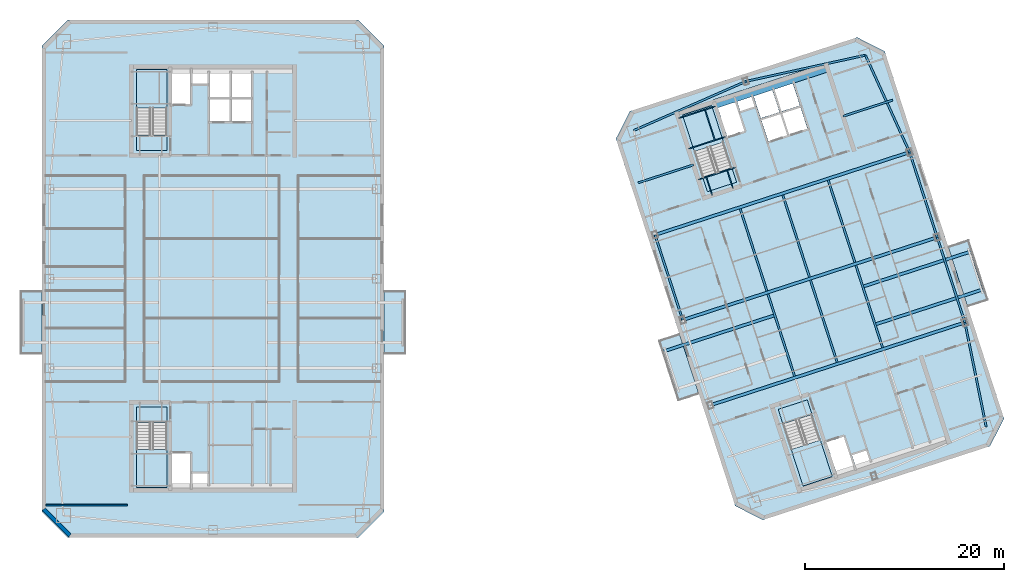
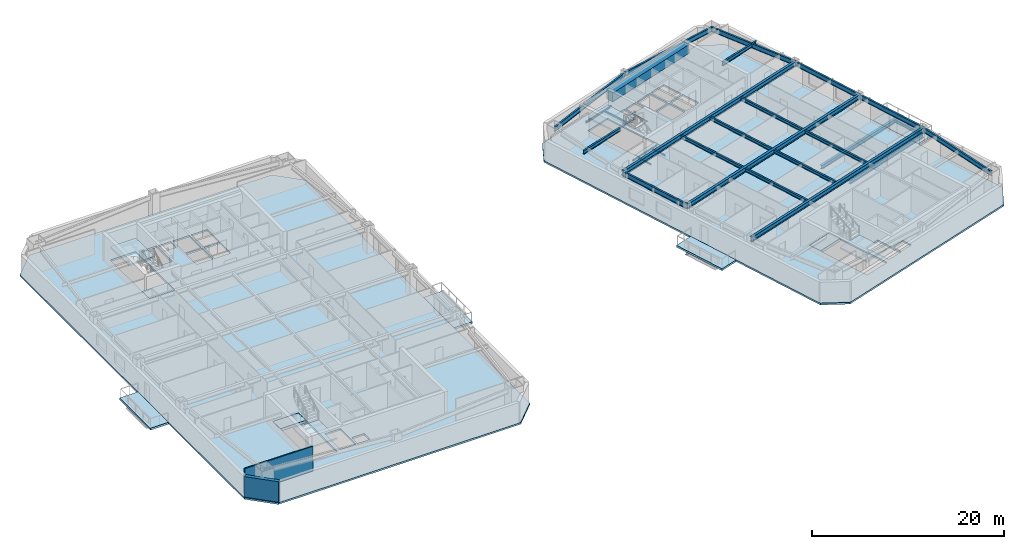
# One storey, part 4 of 15: 29 beams, 14 slabs, 2 walls, 4 elements without a shape of their own.
"""IFC4 building model written with IfcOpenShell, lengths in metres."""

from ifc_helpers import new_model, si_unit, direction, frame, frame_2d, origin, origin_2d, place, context, subcontext, project, spatial, polyline, rectangle, i_section, outline, extrude, material, layer, layer_set, material_profile, profile_set, type_object, element, aggregate, save


model = new_model("IFC4")

# Units and contexts
model_context = context("Model", 3, precision=1e-05, world=origin(), true_north=direction((0.0, 1.0)))
body_context = subcontext(model_context, "Body", "Model", "MODEL_VIEW")
ifc_project = project(units=[si_unit("LENGTHUNIT", "METRE"), si_unit("AREAUNIT", "SQUARE_METRE"), si_unit("VOLUMEUNIT", "CUBIC_METRE"), si_unit("PLANEANGLEUNIT", "RADIAN"), si_unit("MASSUNIT", "GRAM", prefix="KILO")], contexts=[model_context])

# Site, building, storey
site_placement = place(None, origin())
site = spatial("IfcSite", under=ifc_project, at=site_placement, CompositionType="ELEMENT")
building_placement = place(site_placement, origin())
building = spatial("IfcBuilding", under=site, at=building_placement, Name="Qiaolan Cultural Towers", CompositionType="ELEMENT")
storey_placement = place(building_placement, frame((0.0, 0.0, 209.300048828125)))
storey = spatial("IfcBuildingStorey", under=building, at=storey_placement, Name="L56", CompositionType="ELEMENT", Elevation=209.300048828125)

# Beams
ifc_material_1 = material(Name="Steel Q355B", Category="steel")
ifc_material_profile_1 = material_profile(ifc_material_1, i_section(OverallWidth=0.300048828125, OverallDepth=0.488037109375, WebThickness=0.010986328125, FlangeThickness=0.01806640625, at=origin_2d()), Name="HM488x300x11x18")
ifc_profile_set_1 = profile_set([ifc_material_profile_1], Name="Steel Q355B")
beam_type_1 = type_object("IfcBeamType", Name="BM-HM488x300x11x18", PredefinedType="BEAM", material=ifc_profile_set_1)
beam_1_placement = place(storey_placement, frame((86.4619140625, 30.326904296875, -0.524169921875), z_axis=(-0.951059870229, -0.309006671838, 0.0), x_axis=(0.309006671838, -0.951059870229, 0.0)))
element("IfcBeam", 1, at=beam_1_placement, inside=storey, type_object=beam_type_1, Name="L56 T2 Tree Balcony Back-Spanned Bracket Beam", PredefinedType="BEAM", context=body_context, shape_type="SweptSolid", body=[
    extrude(i_section(OverallWidth=0.300048828125, OverallDepth=0.488037109375, WebThickness=0.010986328125, FlangeThickness=0.01806640625, at=origin_2d()), origin(), (0.0, 0.0, 1.0), 11.75),
])
for number, where, z_axis, x_axis, name in (
    (2, (96.542724609375, 29.396484375, -0.524169921875), (0.951054749965, 0.309022430527, 0.0), (-0.309022430527, 0.951054749965, 0.0), "L56 T2 Tree Balcony Back-Spanned Bracket Beam"),
    (3, (95.306640625, 33.20068359375, -0.524169921875), (0.951054749965, 0.309022430527, 0.0), (-0.309022430527, 0.951054749965, 0.0), "L56 T2 Tree Balcony Back-Spanned Bracket Beam"),
):
    element("IfcBeam", number, at=place(storey_placement, frame(where, z_axis=z_axis, x_axis=x_axis)), inside=storey, type_object=beam_type_1, Name=name, PredefinedType="BEAM", context=body_context, shape_type="SweptSolid", body=[
        extrude(i_section(OverallWidth=0.300048828125, OverallDepth=0.488037109375, WebThickness=0.010986328125, FlangeThickness=0.01806640625, at=origin_2d()), origin(), (0.0, 0.0, 1.0), 11.4501953125),
    ])
ifc_material_2 = material(Name="Steel Q355B", Category="steel")
ifc_material_profile_2 = material_profile(ifc_material_2, i_section(OverallWidth=0.300048828125, OverallDepth=0.587890625, WebThickness=0.011962890625, FlangeThickness=0.02001953125, at=origin_2d()), Name="HM588x300x12x20")
ifc_profile_set_2 = profile_set([ifc_material_profile_2], Name="Steel Q355B")
beam_type_2 = type_object("IfcBeamType", Name="BM-HM588x300x12x20", PredefinedType="BEAM", material=ifc_profile_set_2)
beam_2_placement = place(storey_placement, frame((79.989501953125, 21.2841796875, 2.89599609375), z_axis=(0.951056543098, 0.309016911884, 0.0), x_axis=(-0.309016911884, 0.951056543098, 0.0)))
element("IfcBeam", 4, at=beam_2_placement, inside=storey, type_object=beam_type_2, Name="L56 T2 Primary Transverse Girder V1", PredefinedType="BEAM", context=body_context, shape_type="SweptSolid", body=[
    extrude(i_section(OverallWidth=0.300048828125, OverallDepth=0.587890625, WebThickness=0.011962890625, FlangeThickness=0.02001953125, at=origin_2d()), origin(), (0.0, 0.0, 1.0), 26.89990234375),
])
beam_3_placement = place(storey_placement, frame((77.208251953125, 29.84375, 2.89599609375), z_axis=(0.95105740976, 0.309014244561, 0.0), x_axis=(-0.309014244561, 0.95105740976, 0.0)))
element("IfcBeam", 5, at=beam_3_placement, inside=storey, type_object=beam_type_2, Name="L56 T2 Primary Transverse Girder V2", PredefinedType="BEAM", context=body_context, shape_type="SweptSolid", body=[
    extrude(i_section(OverallWidth=0.300048828125, OverallDepth=0.587890625, WebThickness=0.011962890625, FlangeThickness=0.02001953125, at=origin_2d()), origin(), (0.0, 0.0, 1.0), 26.900146484375),
])
beam_4_placement = place(storey_placement, frame((74.42724609375, 38.4033203125, 2.89599609375), z_axis=(0.951056543098, 0.309016911884, 0.0), x_axis=(-0.309016911884, 0.951056543098, 0.0)))
element("IfcBeam", 6, at=beam_4_placement, inside=storey, type_object=beam_type_2, Name="L56 T2 Primary Transverse Girder V3", PredefinedType="BEAM", context=body_context, shape_type="SweptSolid", body=[
    extrude(i_section(OverallWidth=0.300048828125, OverallDepth=0.587890625, WebThickness=0.011962890625, FlangeThickness=0.02001953125, at=origin_2d()), origin(), (0.0, 0.0, 1.0), 26.89990234375),
])
ifc_material_3 = material(Name="Steel Q355B", Category="steel")
ifc_material_profile_3 = material_profile(ifc_material_3, i_section(OverallWidth=0.175048828125, OverallDepth=0.35009765625, WebThickness=0.007080078125, FlangeThickness=0.010986328125, at=origin_2d()), Name="HN350x175x7x11")
ifc_profile_set_3 = profile_set([ifc_material_profile_3], Name="Steel Q355B")
beam_type_3 = type_object("IfcBeamType", Name="BM-JST-HN350x175x7x11", PredefinedType="JOIST", material=ifc_profile_set_3)
beam_5_placement = place(storey_placement, frame((107.432373046875, 32.934814453125, -0.524169921875), z_axis=(-0.309022586479, 0.951054699292, 0.0), x_axis=(-0.951054699292, -0.309022586479, 0.0)))
element("IfcBeam", 7, at=beam_5_placement, inside=storey, type_object=beam_type_3, Name="L56 T2 Tree Balcony Outer Edge Beam", PredefinedType="JOIST", context=body_context, shape_type="SweptSolid", body=[
    extrude(i_section(OverallWidth=0.175048828125, OverallDepth=0.35009765625, WebThickness=0.007080078125, FlangeThickness=0.010986328125, at=origin_2d()), origin(), (0.0, 0.0, 1.0), 4.0),
])
ifc_material_4 = material(Name="Steel Q355B", Category="steel")
ifc_material_profile_4 = material_profile(ifc_material_4, i_section(OverallWidth=0.199951171875, OverallDepth=0.39990234375, WebThickness=0.008056640625, FlangeThickness=0.012939453125, at=origin_2d()), Name="HN400x200x8x13")
ifc_profile_set_4 = profile_set([ifc_material_profile_4], Name="Steel Q355B")
beam_type_4 = type_object("IfcBeamType", Name="BM-JST-HN400x200x8x13", PredefinedType="JOIST", material=ifc_profile_set_4)
for number, where, z_axis, x_axis, name in (
    (8, (88.455078125, 24.192626953125, 2.989990234375), (-0.309020714809, 0.951055307445, 0.0), (-0.951055307445, -0.309020714809, 0.0), "L56 T2 Secondary Floor Joist U1-2"),
    (9, (85.673828125, 32.752197265625, 2.989990234375), (-0.309020714809, 0.951055307445, 0.0), (-0.951055307445, -0.309020714809, 0.0), "L56 T2 Secondary Floor Joist U1-3"),
    (10, (92.73486328125, 25.583251953125, 2.989990234375), (-0.309020714809, 0.951055307445, 0.0), (-0.951055307445, -0.309020714809, 0.0), "L56 T2 Secondary Floor Joist U2-2"),
    (11, (89.95361328125, 34.142578125, 2.989990234375), (-0.309020714809, 0.951055307445, 0.0), (-0.951055307445, -0.309020714809, 0.0), "L56 T2 Secondary Floor Joist U2-3"),
    (12, (97.2998046875, 27.06640625, 2.989990234375), (-0.309020714809, 0.951055307445, 0.0), (-0.951055307445, -0.309020714809, 0.0), "L56 T2 Secondary Floor Joist U3-2"),
    (13, (94.518798828125, 35.6259765625, 2.989990234375), (-0.309020714809, 0.951055307445, 0.0), (-0.951055307445, -0.309020714809, 0.0), "L56 T2 Secondary Floor Joist U3-3"),
):
    element("IfcBeam", number, at=place(storey_placement, frame(where, z_axis=z_axis, x_axis=x_axis)), inside=storey, type_object=beam_type_4, Name=name, PredefinedType="JOIST", context=body_context, shape_type="SweptSolid", body=[
        extrude(i_section(OverallWidth=0.199951171875, OverallDepth=0.39990234375, WebThickness=0.008056640625, FlangeThickness=0.012939453125, at=origin_2d()), origin(), (0.0, 0.0, 1.0), 8.699951171875),
    ])
ifc_material_5 = material(Name="Steel Q355B", Category="steel")
ifc_material_profile_5 = material_profile(ifc_material_5, i_section(OverallWidth=0.199951171875, OverallDepth=0.449951171875, WebThickness=0.009033203125, FlangeThickness=0.013916015625, at=origin_2d()), Name="HN450x200x9x14")
ifc_profile_set_5 = profile_set([ifc_material_profile_5], Name="Steel Q355B")
beam_type_5 = type_object("IfcBeamType", Name="BM-LNT-HN450x200x9x14", PredefinedType="LINTEL", material=ifc_profile_set_5)
beam_6_placement = place(storey_placement, frame((78.291259765625, 45.44189453125, 2.96484375), z_axis=(-0.951051548326, -0.309032283793, 0.0), x_axis=(0.309032283793, -0.951051548326, 0.0)))
element("IfcBeam", 14, at=beam_6_placement, inside=storey, type_object=beam_type_5, Name="L56 T2 Core Flank Tie Lintel WN", PredefinedType="LINTEL", context=body_context, shape_type="SweptSolid", body=[
    extrude(i_section(OverallWidth=0.199951171875, OverallDepth=0.449951171875, WebThickness=0.009033203125, FlangeThickness=0.013916015625, at=origin_2d()), origin(), (0.0, 0.0, 1.0), 5.85009765625),
])
beam_7_placement = place(storey_placement, frame((93.31787109375, 50.32421875, 2.96484375), z_axis=(0.951060037126, 0.309006158161, 0.0), x_axis=(-0.309006158161, 0.951060037126, 0.0)))
element("IfcBeam", 15, at=beam_7_placement, inside=storey, type_object=beam_type_5, Name="L56 T2 Core Flank Tie Lintel EN", PredefinedType="LINTEL", context=body_context, shape_type="SweptSolid", body=[
    extrude(i_section(OverallWidth=0.199951171875, OverallDepth=0.449951171875, WebThickness=0.009033203125, FlangeThickness=0.013916015625, at=origin_2d()), origin(), (0.0, 0.0, 1.0), 5.25),
])
ifc_material_6 = material(Name="Concrete C50", Category="concrete")
ifc_material_profile_6 = material_profile(ifc_material_6, rectangle(XDim=0.89990234375, YDim=1.10009765625, at=origin_2d()), Name="RC900x1100")
ifc_profile_set_6 = profile_set([ifc_material_profile_6], Name="Concrete C50")
beam_type_6 = type_object("IfcBeamType", Name="BM-RC900x1100", PredefinedType="BEAM", material=ifc_profile_set_6)
beam_8_placement = place(storey_placement, frame((80.427978515625, 51.551025390625, 2.639892578125), z_axis=(0.951056266386, 0.309017763514, 0.0), x_axis=(-0.309017763514, 0.951056266386, 0.0)))
element("IfcBeam", 16, at=beam_8_placement, inside=storey, type_object=beam_type_6, Name="L56 T2 Core Header Girder N", PredefinedType="BEAM", context=body_context, shape_type="SweptSolid", body=[
    extrude(rectangle(XDim=0.89990234375, YDim=1.10009765625, at=origin_2d()), origin(), (0.0, 0.0, 1.0), 11.880126953125),
])
ifc_material_7 = material(Name="Steel Q355B", Category="steel")
ifc_material_profile_7 = material_profile(ifc_material_7, i_section(OverallWidth=0.199951171875, OverallDepth=0.60009765625, WebThickness=0.010986328125, FlangeThickness=0.01708984375, at=origin_2d()), Name="HN600x200x11x17")
ifc_profile_set_7 = profile_set([ifc_material_profile_7], Name="Steel Q355B")
beam_type_7 = type_object("IfcBeamType", Name="BM-SPD-HN600x200x11x17", PredefinedType="SPANDREL", material=ifc_profile_set_7)
beam_9_placement = place(storey_placement, frame((107.7099609375, 19.103515625, 2.889892578125), z_axis=(-0.199578538116, 0.979881833245, 0.0), x_axis=(-0.979881833245, -0.199578538116, 0.0)))
element("IfcBeam", 17, at=beam_9_placement, inside=storey, type_object=beam_type_7, Name="L56 T2 Perimeter Spandrel Beam 3", PredefinedType="SPANDREL", context=body_context, shape_type="SweptSolid", body=[
    extrude(i_section(OverallWidth=0.199951171875, OverallDepth=0.60009765625, WebThickness=0.010986328125, FlangeThickness=0.01708984375, at=origin_2d()), origin(), (0.0, 0.0, 1.0), 10.70849609375),
])
for number, where, z_axis, x_axis, name in (
    (18, (105.57275390625, 29.5966796875, 2.889892578125), (-0.309000197986, 0.951061973609, 0.0), (-0.951061973609, -0.309000197986, 0.0), "L56 T2 Perimeter Spandrel Beam 4"),
    (19, (102.791748046875, 38.15625, 2.889892578125), (-0.309024734286, 0.951054001411, 0.0), (-0.951054001411, -0.309024734286, 0.0), "L56 T2 Perimeter Spandrel Beam 5"),
):
    element("IfcBeam", number, at=place(storey_placement, frame(where, z_axis=z_axis, x_axis=x_axis)), inside=storey, type_object=beam_type_7, Name=name, PredefinedType="SPANDREL", context=body_context, shape_type="SweptSolid", body=[
        extrude(i_section(OverallWidth=0.199951171875, OverallDepth=0.60009765625, WebThickness=0.010986328125, FlangeThickness=0.01708984375, at=origin_2d()), origin(), (0.0, 0.0, 1.0), 9.0),
    ])
beam_10_placement = place(storey_placement, frame((100.010498046875, 46.7158203125, 2.889892578125), z_axis=(-0.414500208282, 0.910049216985, 0.0), x_axis=(-0.910049216985, -0.414500208282, 0.0)))
element("IfcBeam", 20, at=beam_10_placement, inside=storey, type_object=beam_type_7, Name="L56 T2 Perimeter Spandrel Beam 6", PredefinedType="SPANDREL", context=body_context, shape_type="SweptSolid", body=[
    extrude(i_section(OverallWidth=0.199951171875, OverallDepth=0.60009765625, WebThickness=0.010986328125, FlangeThickness=0.01708984375, at=origin_2d()), origin(), (0.0, 0.0, 1.0), 10.70849609375),
])
beam_11_placement = place(storey_placement, frame((95.57177734375, 56.461181640625, 2.889892578125), z_axis=(-0.976843395078, -0.213955559619, 0.0), x_axis=(0.213955559619, -0.976843395078, 0.0)))
element("IfcBeam", 21, at=beam_11_placement, inside=storey, type_object=beam_type_7, Name="L56 T2 Perimeter Spandrel Beam 7", PredefinedType="SPANDREL", context=body_context, shape_type="SweptSolid", body=[
    extrude(i_section(OverallWidth=0.199951171875, OverallDepth=0.60009765625, WebThickness=0.010986328125, FlangeThickness=0.01708984375, at=origin_2d()), origin(), (0.0, 0.0, 1.0), 12.2998046875),
])
beam_12_placement = place(storey_placement, frame((83.556884765625, 53.82958984375, 2.889892578125), z_axis=(-0.916042038824, -0.401082264762, 0.0), x_axis=(0.401082264762, -0.916042038824, 0.0)))
element("IfcBeam", 22, at=beam_12_placement, inside=storey, type_object=beam_type_7, Name="L56 T2 Perimeter Spandrel Beam 8", PredefinedType="SPANDREL", context=body_context, shape_type="SweptSolid", body=[
    extrude(i_section(OverallWidth=0.199951171875, OverallDepth=0.60009765625, WebThickness=0.010986328125, FlangeThickness=0.01708984375, at=origin_2d()), origin(), (0.0, 0.0, 1.0), 12.299560546875),
])
beam_13_placement = place(storey_placement, frame((74.42724609375, 38.4033203125, 2.889892578125), z_axis=(0.309000197986, -0.951061973609, 0.0), x_axis=(0.951061973609, 0.309000197986, 0.0)))
element("IfcBeam", 23, at=beam_13_placement, inside=storey, type_object=beam_type_7, Name="L56 T2 Perimeter Spandrel Beam 10", PredefinedType="SPANDREL", context=body_context, shape_type="SweptSolid", body=[
    extrude(i_section(OverallWidth=0.199951171875, OverallDepth=0.60009765625, WebThickness=0.010986328125, FlangeThickness=0.01708984375, at=origin_2d()), origin(), (0.0, 0.0, 1.0), 9.0),
])
ifc_material_8 = material(Name="Steel Q355B", Category="steel")
ifc_material_profile_8 = material_profile(ifc_material_8, i_section(OverallWidth=0.10009765625, OverallDepth=0.199951171875, WebThickness=0.005615234375, FlangeThickness=0.008056640625, at=origin_2d()), Name="HN200x100x5.5x8")
ifc_profile_set_8 = profile_set([ifc_material_profile_8], Name="Steel Q355B")
beam_type_8 = type_object("IfcBeamType", Name="BM-STTRIM-200", PredefinedType="BEAM", material=ifc_profile_set_8)
beam_14_placement = place(storey_placement, frame((78.773193359375, 43.958251953125, -0.4599609375), z_axis=(0.951072048947, 0.3089691857, 0.0), x_axis=(-0.3089691857, 0.951072048947, 0.0)))
element("IfcBeam", 24, at=beam_14_placement, inside=storey, type_object=beam_type_8, Name="L56 ST-E2 Floor Landing Header Beam", PredefinedType="BEAM", context=body_context, shape_type="SweptSolid", body=[
    extrude(i_section(OverallWidth=0.10009765625, OverallDepth=0.199951171875, WebThickness=0.005615234375, FlangeThickness=0.008056640625, at=origin_2d()), origin(), (0.0, 0.0, 1.0), 3.920166015625),
])
for number, where, z_axis, x_axis, name in (
    (25, (80.18115234375, 42.375732421875, -0.4599609375), (-0.308969394428, 0.951071981138, 0.0), (-0.951071981138, -0.308969394428, 0.0), "L56 ST-E2 Floor Landing Stringer 1"),
    (26, (82.2734375, 43.0556640625, -0.4599609375), (-0.308969394428, 0.951071981138, 0.0), (-0.951071981138, -0.308969394428, 0.0), "L56 ST-E2 Floor Landing Stringer 2"),
):
    element("IfcBeam", number, at=place(storey_placement, frame(where, z_axis=z_axis, x_axis=x_axis)), inside=storey, type_object=beam_type_8, Name=name, PredefinedType="BEAM", context=body_context, shape_type="SweptSolid", body=[
        extrude(i_section(OverallWidth=0.10009765625, OverallDepth=0.199951171875, WebThickness=0.005615234375, FlangeThickness=0.008056640625, at=origin_2d()), origin(), (0.0, 0.0, 1.0), 1.93994140625),
    ])
for number, where, z_axis, x_axis, name in (
    (27, (77.769287109375, 47.0478515625, 1.425048828125), (0.951053746643, 0.309025518358, 0.0), (-0.309025518358, 0.951053746643, 0.0), "L56 ST-E2 Stair Landing Support Beam 1-1"),
    (28, (76.770751953125, 50.12109375, 1.425048828125), (0.951072048947, 0.3089691857, 0.0), (-0.3089691857, 0.951072048947, 0.0), "L56 ST-E2 Stair Landing Support Beam 1-2"),
):
    element("IfcBeam", number, at=place(storey_placement, frame(where, z_axis=z_axis, x_axis=x_axis)), inside=storey, type_object=beam_type_8, Name=name, PredefinedType="BEAM", context=body_context, shape_type="SweptSolid", body=[
        extrude(i_section(OverallWidth=0.10009765625, OverallDepth=0.199951171875, WebThickness=0.005615234375, FlangeThickness=0.008056640625, at=origin_2d()), origin(), (0.0, 0.0, 1.0), 3.920166015625),
    ])
beam_15_placement = place(storey_placement, frame((80.44189453125, 47.916259765625, 1.425048828125), z_axis=(-0.309033108495, 0.951051280349, 0.0), x_axis=(-0.951051280349, -0.309033108495, 0.0)))
element("IfcBeam", 29, at=beam_15_placement, inside=storey, type_object=beam_type_8, Name="L56 ST-E2 Stair Landing Trimmer 1", PredefinedType="BEAM", context=body_context, shape_type="SweptSolid", body=[
    extrude(i_section(OverallWidth=0.10009765625, OverallDepth=0.199951171875, WebThickness=0.005615234375, FlangeThickness=0.008056640625, at=origin_2d()), origin(), (0.0, 0.0, 1.0), 3.231201171875),
])

# Slabs
ifc_material_9 = material(Name="Concrete C45", Category="concrete")
ifc_layer_1 = layer(ifc_material_9, 0.239990234375)
ifc_layer_set_1 = layer_set([ifc_layer_1], Name="Concrete C45")
slab_type_1 = type_object("IfcSlabType", Name="SL-BAL-240", PredefinedType="FLOOR", material=ifc_layer_set_1)
slab_1_placement = place(storey_placement, frame((0.0, 0.0, -0.239990234375)))
element("IfcSlab", 30, at=slab_1_placement, inside=storey, type_object=slab_type_1, Name="L56 T1 Planted Tree Balcony W", PredefinedType="FLOOR", context=body_context, shape_type="SweptSolid", body=[
    extrude(outline(polyline([(10.60009765625, 26.39990234375), (12.800048828125, 26.39990234375), (12.800048828125, 32.800048828125), (10.60009765625, 32.800048828125), (10.60009765625, 26.39990234375)])), origin(), (0.0, 0.0, 1.0), 0.239990234375),
])
slab_2_placement = place(storey_placement, frame((0.0, 0.0, -0.239990234375)))
element("IfcSlab", 31, at=slab_2_placement, inside=storey, type_object=slab_type_1, Name="L56 T1 Planted Tree Balcony E", PredefinedType="FLOOR", context=body_context, shape_type="SweptSolid", body=[
    extrude(outline(polyline([(47.199951171875, 26.39990234375), (49.39990234375, 26.39990234375), (49.39990234375, 32.800048828125), (47.199951171875, 32.800048828125), (47.199951171875, 26.39990234375)])), origin(), (0.0, 0.0, 1.0), 0.239990234375),
])
slab_3_placement = place(storey_placement, frame((0.0, 0.0, -0.239990234375)))
element("IfcSlab", 32, at=slab_3_placement, inside=storey, type_object=slab_type_1, Name="L56 T2 Planted Tree Balcony W", PredefinedType="FLOOR", context=body_context, shape_type="SweptSolid", body=[
    extrude(outline(polyline([(76.751220703125, 21.7041015625), (78.843505859375, 22.384033203125), (76.86572265625, 28.470703125), (74.7734375, 27.790771484375), (76.751220703125, 21.7041015625)])), origin(), (0.0, 0.0, 1.0), 0.239990234375),
])
slab_4_placement = place(storey_placement, frame((0.0, 0.0, -0.239990234375)))
element("IfcSlab", 33, at=slab_4_placement, inside=storey, type_object=slab_type_1, Name="L56 T2 Planted Tree Balcony E", PredefinedType="FLOOR", context=body_context, shape_type="SweptSolid", body=[
    extrude(outline(polyline([(105.853515625, 31.159912109375), (107.94580078125, 31.83984375), (105.96826171875, 37.926513671875), (103.875732421875, 37.246826171875), (105.853515625, 31.159912109375)])), origin(), (0.0, 0.0, 1.0), 0.239990234375),
])

# Stair, slab
ifc_material_10 = material(Name="Concrete C45", Category="concrete")
stair_type = type_object("IfcStairType", Name="STR-CORE-1500", PredefinedType="HALF_TURN_STAIR", material=ifc_material_10)
stair_1_placement = place(storey_placement, origin())
stair_1 = element("IfcStair", 34, at=stair_1_placement, inside=storey, type_object=stair_type, Name="L56 Smokeproof Exit Stair ST-W1", PredefinedType="HALF_TURN_STAIR")
ifc_material_11 = material(Name="Concrete C45", Category="concrete")
ifc_layer_2 = layer(ifc_material_11, 0.199951171875)
ifc_layer_set_2 = layer_set([ifc_layer_2], Name="Concrete C45")
slab_type_2 = type_object("IfcSlabType", Name="SL-STAIR-LAND", PredefinedType="LANDING", material=ifc_layer_set_2)
slab_5_placement = place(storey_placement, frame((0.0, 0.0, 1.52490234375)))
slab_5 = element("IfcSlab", 35, at=slab_5_placement, type_object=slab_type_2, Name="ST-W1 landing 1", PredefinedType="LANDING", context=body_context, shape_type="SweptSolid", body=[
    extrude(outline(polyline([(22.300048828125, 16.851318359375), (22.300048828125, 13.0), (25.3798828125, 13.0), (25.3798828125, 16.851318359375), (22.300048828125, 16.851318359375)])), origin(), (0.0, 0.0, 1.0), 0.199951171875),
])
aggregate(stair_1, [slab_5])

stair_2_placement = place(storey_placement, origin())
stair_2 = element("IfcStair", 36, at=stair_2_placement, inside=storey, type_object=stair_type, Name="L56 Smokeproof Exit Stair ST-W2", PredefinedType="HALF_TURN_STAIR")
slab_6_placement = place(storey_placement, frame((0.0, 0.0, 1.52490234375)))
slab_6 = element("IfcSlab", 37, at=slab_6_placement, type_object=slab_type_2, Name="ST-W2 landing 1", PredefinedType="LANDING", context=body_context, shape_type="SweptSolid", body=[
    extrude(outline(polyline([(25.3798828125, 51.148681640625), (25.3798828125, 55.0), (22.300048828125, 55.0), (22.300048828125, 51.148681640625), (25.3798828125, 51.148681640625)])), origin(), (0.0, 0.0, 1.0), 0.199951171875),
])
aggregate(stair_2, [slab_6])

stair_3_placement = place(storey_placement, origin())
stair_3 = element("IfcStair", 38, at=stair_3_placement, inside=storey, type_object=stair_type, Name="L56 Smokeproof Exit Stair ST-E1", PredefinedType="HALF_TURN_STAIR")
slab_7_placement = place(storey_placement, frame((0.0, 0.0, 1.52490234375)))
slab_7 = element("IfcSlab", 39, at=slab_7_placement, type_object=slab_type_2, Name="ST-E1 landing 1", PredefinedType="LANDING", context=body_context, shape_type="SweptSolid", body=[
    extrude(outline(polyline([(88.114013671875, 16.828125), (89.30419921875, 13.165283203125), (92.2333984375, 14.116943359375), (91.04345703125, 17.77978515625), (88.114013671875, 16.828125)])), origin(), (0.0, 0.0, 1.0), 0.199951171875),
])
aggregate(stair_3, [slab_7])

stair_4_placement = place(storey_placement, origin())
stair_4 = element("IfcStair", 40, at=stair_4_placement, inside=storey, type_object=stair_type, Name="L56 Smokeproof Exit Stair ST-E2", PredefinedType="HALF_TURN_STAIR")
slab_8_placement = place(storey_placement, frame((0.0, 0.0, 1.52490234375)))
slab_8 = element("IfcSlab", 41, at=slab_8_placement, type_object=slab_type_2, Name="ST-E2 landing 1", PredefinedType="LANDING", context=body_context, shape_type="SweptSolid", body=[
    extrude(outline(polyline([(81.31005859375, 47.735595703125), (80.1201171875, 51.3984375), (77.190673828125, 50.44677734375), (78.380859375, 46.783935546875), (81.31005859375, 47.735595703125)])), origin(), (0.0, 0.0, 1.0), 0.199951171875),
])
aggregate(stair_4, [slab_8])

# Slabs
ifc_material_12 = material(Name="Concrete C40", Category="concrete")
ifc_layer_3 = layer(ifc_material_12, 0.360107421875)
ifc_layer_set_3 = layer_set([ifc_layer_3], Name="Concrete C40")
slab_type_3 = type_object("IfcSlabType", Name="SL-STFLR-360", PredefinedType="LANDING", material=ifc_layer_set_3)
slab_9_placement = place(storey_placement, frame((0.0, 0.0, -0.360107421875)))
element("IfcSlab", 42, at=slab_9_placement, inside=storey, type_object=slab_type_3, Name="L56 ST-W1 Stair Floor Landing Slab", PredefinedType="LANDING", context=body_context, shape_type="SweptSolid", body=[
    extrude(outline(polyline([(22.302001953125, 21.097900390625), (22.302001953125, 19.548583984375), (25.3779296875, 19.548583984375), (25.3779296875, 21.097900390625), (22.302001953125, 21.097900390625)])), origin(), (0.0, 0.0, 1.0), 0.360107421875),
])
slab_10_placement = place(storey_placement, frame((0.0, 0.0, -0.360107421875)))
element("IfcSlab", 43, at=slab_10_placement, inside=storey, type_object=slab_type_3, Name="L56 ST-W2 Stair Floor Landing Slab", PredefinedType="LANDING", context=body_context, shape_type="SweptSolid", body=[
    extrude(outline(polyline([(25.3779296875, 46.902099609375), (25.3779296875, 48.451416015625), (22.302001953125, 48.451416015625), (22.302001953125, 46.902099609375), (25.3779296875, 46.902099609375)])), origin(), (0.0, 0.0, 1.0), 0.360107421875),
])
slab_11_placement = place(storey_placement, frame((0.0, 0.0, -0.360107421875)))
element("IfcSlab", 44, at=slab_11_placement, inside=storey, type_object=slab_type_3, Name="L56 ST-E1 Stair Floor Landing Slab", PredefinedType="LANDING", context=body_context, shape_type="SweptSolid", body=[
    extrude(outline(polyline([(86.8037109375, 20.867431640625), (87.282470703125, 19.39404296875), (90.2080078125, 20.3447265625), (89.729248046875, 21.818115234375), (86.8037109375, 20.867431640625)])), origin(), (0.0, 0.0, 1.0), 0.360107421875),
])
slab_12_placement = place(storey_placement, frame((0.0, 0.0, -0.360107421875)))
element("IfcSlab", 45, at=slab_12_placement, inside=storey, type_object=slab_type_3, Name="L56 ST-E2 Stair Floor Landing Slab", PredefinedType="LANDING", context=body_context, shape_type="SweptSolid", body=[
    extrude(outline(polyline([(82.62060546875, 43.6962890625), (82.141845703125, 45.169677734375), (79.21630859375, 44.21923828125), (79.695068359375, 42.74560546875), (82.62060546875, 43.6962890625)])), origin(), (0.0, 0.0, 1.0), 0.360107421875),
])
ifc_material_13 = material(Name="Concrete C45", Category="concrete")
ifc_layer_4 = layer(ifc_material_13, 0.219970703125)
ifc_layer_set_4 = layer_set([ifc_layer_4], Name="Concrete C45")
slab_type_4 = type_object("IfcSlabType", Name="SL-TYP-220", PredefinedType="FLOOR", material=ifc_layer_set_4)
slab_13_placement = place(storey_placement, frame((0.0, 0.0, -0.219970703125)))
element("IfcSlab", 46, at=slab_13_placement, inside=storey, type_object=slab_type_4, Name="L56 West Tower Floor Slab", PredefinedType="FLOOR", context=body_context, shape_type="SweptSolid", body=[
    extrude(outline(polyline([(15.39990234375, 8.0), (44.60009765625, 8.0), (47.199951171875, 10.60009765625), (47.199951171875, 57.39990234375), (44.60009765625, 60.0), (15.39990234375, 60.0), (12.800048828125, 57.39990234375), (12.800048828125, 10.60009765625), (15.39990234375, 8.0)]), holes=[polyline([(22.300048828125, 21.10009765625), (22.300048828125, 13.0), (25.3798828125, 13.0), (25.3798828125, 21.10009765625), (22.300048828125, 21.10009765625)]), polyline([(25.3798828125, 46.89990234375), (25.3798828125, 55.0), (22.300048828125, 55.0), (22.300048828125, 46.89990234375), (25.3798828125, 46.89990234375)]), polyline([(25.89990234375, 13.199951171875), (27.75, 13.199951171875), (27.75, 16.449951171875), (25.89990234375, 16.449951171875), (25.89990234375, 13.199951171875)]), polyline([(27.93994140625, 13.25), (29.449951171875, 13.25), (29.449951171875, 14.419921875), (27.93994140625, 14.419921875), (27.93994140625, 13.25)]), polyline([(25.89990234375, 51.550048828125), (27.75, 51.550048828125), (27.75, 54.800048828125), (25.89990234375, 54.800048828125), (25.89990234375, 51.550048828125)]), polyline([(27.93994140625, 53.580078125), (29.449951171875, 53.580078125), (29.449951171875, 54.75), (27.93994140625, 54.75), (27.93994140625, 53.580078125)]), polyline([(29.679931640625, 49.820068359375), (31.679931640625, 49.820068359375), (31.679931640625, 52.080078125), (29.679931640625, 52.080078125), (29.679931640625, 49.820068359375)]), polyline([(31.8798828125, 49.820068359375), (33.820068359375, 49.820068359375), (33.820068359375, 52.080078125), (31.8798828125, 52.080078125), (31.8798828125, 49.820068359375)]), polyline([(29.679931640625, 52.27001953125), (31.659912109375, 52.27001953125), (31.659912109375, 54.75), (29.679931640625, 54.75), (29.679931640625, 52.27001953125)]), polyline([(31.8798828125, 52.27001953125), (33.820068359375, 52.27001953125), (33.820068359375, 54.75), (31.8798828125, 54.75), (31.8798828125, 52.27001953125)])]), origin(), (0.0, 0.0, 1.0), 0.219970703125),
])
slab_14_placement = place(storey_placement, frame((0.0, 0.0, -0.219970703125)))
element("IfcSlab", 47, at=slab_14_placement, inside=storey, type_object=slab_type_4, Name="L56 East Tower Floor Slab", PredefinedType="FLOOR", context=body_context, shape_type="SweptSolid", body=[
    extrude(outline(polyline([(85.26220703125, 9.7490234375), (108.08740234375, 17.165283203125), (109.5, 19.9375), (97.510009765625, 56.838623046875), (94.73779296875, 58.2509765625), (71.91259765625, 50.834716796875), (70.5, 48.0625), (82.489990234375, 11.161376953125), (85.26220703125, 9.7490234375)]), holes=[polyline([(86.80126953125, 20.868896484375), (89.30419921875, 13.165283203125), (92.2333984375, 14.116943359375), (89.73046875, 21.820556640625), (86.80126953125, 20.868896484375)]), polyline([(82.623046875, 43.69482421875), (80.1201171875, 51.3984375), (77.190673828125, 50.44677734375), (79.69384765625, 42.7431640625), (82.623046875, 43.69482421875)]), polyline([(92.666259765625, 14.468017578125), (94.42578125, 15.03955078125), (93.42138671875, 18.130615234375), (91.661865234375, 17.558837890625), (92.666259765625, 14.468017578125)]), polyline([(94.5908203125, 15.14599609375), (96.027099609375, 15.612548828125), (95.66552734375, 16.725341796875), (94.2294921875, 16.258544921875), (94.5908203125, 15.14599609375)]), polyline([(81.6806640625, 48.278076171875), (83.440185546875, 48.849609375), (82.435791015625, 51.940673828125), (80.67626953125, 51.368896484375), (81.6806640625, 48.278076171875)]), polyline([(82.993408203125, 50.839111328125), (84.4296875, 51.3056640625), (84.068115234375, 52.41845703125), (82.632080078125, 51.95166015625), (82.993408203125, 50.839111328125)]), polyline([(85.810302734375, 47.80078125), (87.71240234375, 48.418701171875), (87.013916015625, 50.568115234375), (85.11181640625, 49.9501953125), (85.810302734375, 47.80078125)]), polyline([(87.902587890625, 48.480712890625), (89.74755859375, 49.080078125), (89.04931640625, 51.2294921875), (87.2041015625, 50.6298828125), (87.902587890625, 48.480712890625)]), polyline([(85.05322265625, 50.130859375), (86.936279296875, 50.74267578125), (86.169921875, 53.101318359375), (84.286865234375, 52.489501953125), (85.05322265625, 50.130859375)]), polyline([(87.1455078125, 50.810791015625), (88.990478515625, 51.41015625), (88.22412109375, 53.768798828125), (86.379150390625, 53.169189453125), (87.1455078125, 50.810791015625)])]), origin(), (0.0, 0.0, 1.0), 0.219970703125),
])

# Walls
ifc_material_14 = material(Name="Precast Concrete C50 Honed Stone Pier", Category="masonry")
ifc_layer_5 = layer(ifc_material_14, 0.39990234375)
ifc_layer_set_5 = layer_set([ifc_layer_5], Name="Precast Concrete C50 Honed Stone Pier")
wall_type_1 = type_object("IfcWallType", Name="WL-EXT-PIER-400", PredefinedType="SOLIDWALL", material=ifc_layer_set_5)
wall_1_placement = place(storey_placement, frame((15.60009765625, 8.199951171875, 0.0), z_axis=(0.0, 0.0, 1.0), x_axis=(-0.707106781187, 0.707106781187, 0.0)))
element("IfcWall", 48, at=wall_1_placement, inside=storey, type_object=wall_type_1, Name="L56 West Tower Precast Pier Facade Wall F8", PredefinedType="SOLIDWALL", context=body_context, shape_type="SweptSolid", body=[
    extrude(rectangle(XDim=3.677001953125, YDim=0.39990234375, at=frame_2d((1.83837890625, 0.0))), origin(), (0.0, 0.0, 1.0), 2.60986328125),
])
ifc_material_15 = material(Name="Autoclaved Aerated Concrete Block B06", Category="concrete")
ifc_layer_6 = layer(ifc_material_15, 0.14990234375)
ifc_layer_set_6 = layer_set([ifc_layer_6], Name="Autoclaved Aerated Concrete Block B06")
wall_type_2 = type_object("IfcWallType", Name="WL-PART-150", PredefinedType="PARTITIONING", material=ifc_layer_set_6)
wall_2_placement = place(storey_placement, frame((13.199951171875, 11.25, 0.0), z_axis=(0.0, 0.0, 1.0), x_axis=(1.0, 0.0, 0.0)))
element("IfcWall", 49, at=wall_2_placement, inside=storey, type_object=wall_type_2, Name="L56 T1 Flank Wall FLK-SW", PredefinedType="PARTITIONING", context=body_context, shape_type="SweptSolid", body=[
    extrude(rectangle(XDim=8.199951171875, YDim=0.14990234375, at=frame_2d((4.10009765625, 0.0))), origin(), (0.0, 0.0, 1.0), 3.175048828125),
])

save(model, "model.ifc")
